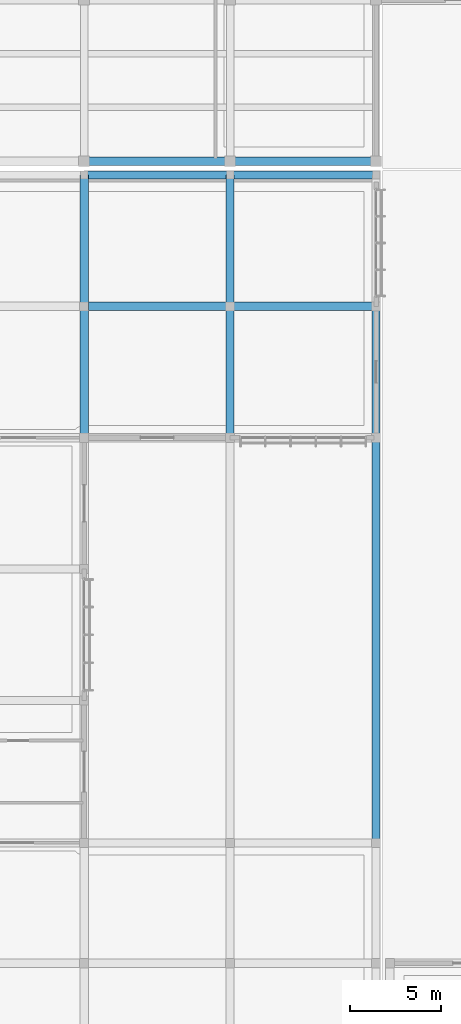
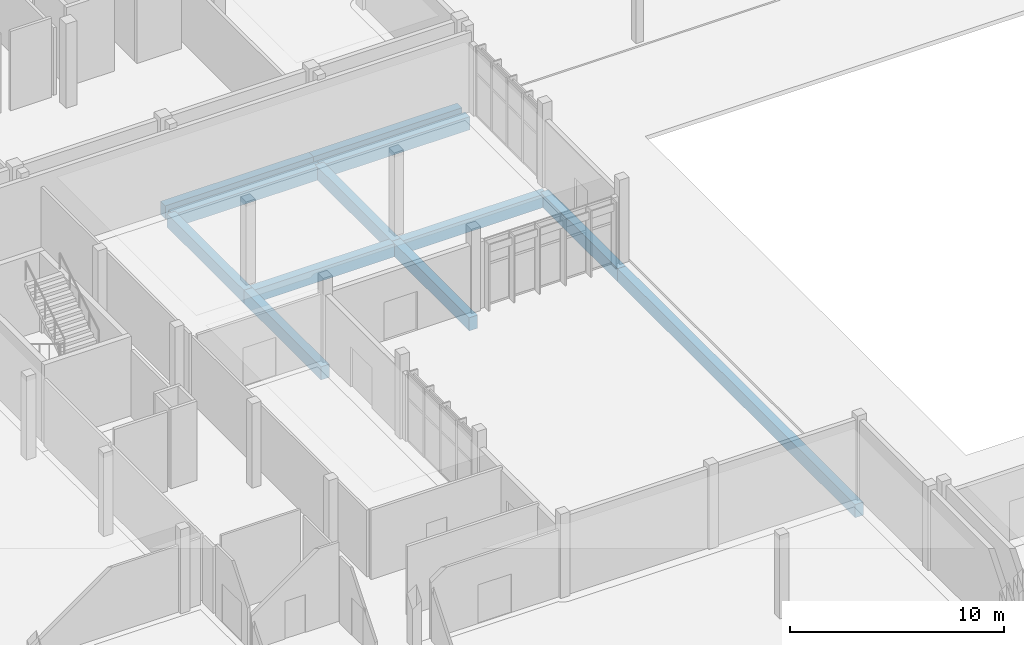
# One storey, part 58 of 151: 12 beams.
"""IFC4 building model written with IfcOpenShell, lengths in metres."""

from ifc_helpers import new_model, si_unit, direction, frame, origin, origin_2d, place, context, subcontext, project, spatial, rectangle, extrude, material, material_profile, profile_set, type_object, element, save


model = new_model("IFC4")

# Units and contexts
model_context = context("Model", 3, precision=1e-05, world=origin(), true_north=direction((0.0, 1.0)))
body_context = subcontext(model_context, "Body", "Model", "MODEL_VIEW")
ifc_project = project(units=[si_unit("LENGTHUNIT", "METRE"), si_unit("AREAUNIT", "SQUARE_METRE"), si_unit("VOLUMEUNIT", "CUBIC_METRE"), si_unit("PLANEANGLEUNIT", "RADIAN"), si_unit("MASSUNIT", "GRAM", prefix="KILO")], contexts=[model_context])

# Site, building, storey
site_placement = place(None, origin())
site = spatial("IfcSite", under=ifc_project, at=site_placement, CompositionType="ELEMENT")
building_placement = place(site_placement, origin())
building = spatial("IfcBuilding", under=site, at=building_placement, Name="Chiffa Square Polytechnic", CompositionType="ELEMENT")
storey_placement = place(building_placement, origin())
storey = spatial("IfcBuildingStorey", under=building, at=storey_placement, Name="L00", CompositionType="ELEMENT", Elevation=0.0)

# Beams
ifc_material = material(Name="Concrete C35/45", Category="concrete")
ifc_material_profile_1 = material_profile(ifc_material, rectangle(XDim=0.449951171875, YDim=0.75, at=origin_2d()), Name="RC 450x750")
ifc_profile_set_1 = profile_set([ifc_material_profile_1], Name="Concrete C35/45")
beam_type_1 = type_object("IfcBeamType", Name="BM-RC-450X750", PredefinedType="BEAM", material=ifc_profile_set_1)
for number, where, z_axis, x_axis, name in (
    (1, (32.0, 94.949951171875, -0.72509765625), (1.0, 0.0, 0.0), (0.0, 1.0, 0.0), "Primary floor girder BM-V5-L00-X-0320-0950"),
    (2, (40.0, 94.949951171875, -0.72509765625), (1.0, 0.0, 0.0), (0.0, 1.0, 0.0), "Primary floor girder BM-V5-L00-X-0400-0950"),
):
    element("IfcBeam", number, at=place(storey_placement, frame(where, z_axis=z_axis, x_axis=x_axis)), inside=storey, type_object=beam_type_1, Name=name, PredefinedType="BEAM", context=body_context, shape_type="SweptSolid", body=[
        extrude(rectangle(XDim=0.449951171875, YDim=0.75, at=origin_2d()), origin(), (0.0, 0.0, 1.0), 8.0),
    ])
ifc_material_profile_2 = material_profile(ifc_material, rectangle(XDim=0.449951171875, YDim=0.75, at=origin_2d()), Name="RC 450x750")
ifc_profile_set_2 = profile_set([ifc_material_profile_2], Name="Concrete C35/45")
beam_type_2 = type_object("IfcBeamType", Name="GB-RC-450X750", PredefinedType="BEAM", material=ifc_profile_set_2)
for number, where, z_axis, x_axis, name in (
    (3, (32.0, 87.0, -0.77490234375), (1.0, 0.0, 0.0), (0.0, 1.0, 0.0), "Ground tie beam GB-V6-X-187"),
    (4, (40.0, 87.0, -0.77490234375), (1.0, 0.0, 0.0), (0.0, 1.0, 0.0), "Ground tie beam GB-V6-X-188"),
    (5, (32.0, 94.199951171875, -0.77490234375), (1.0, 0.0, 0.0), (0.0, 1.0, 0.0), "Ground tie beam GB-V6-X-193"),
    (6, (40.0, 94.199951171875, -0.77490234375), (1.0, 0.0, 0.0), (0.0, 1.0, 0.0), "Ground tie beam GB-V6-X-194"),
):
    element("IfcBeam", number, at=place(storey_placement, frame(where, z_axis=z_axis, x_axis=x_axis)), inside=storey, type_object=beam_type_2, Name=name, PredefinedType="BEAM", context=body_context, shape_type="SweptSolid", body=[
        extrude(rectangle(XDim=0.449951171875, YDim=0.75, at=origin_2d()), origin(), (0.0, 0.0, 1.0), 8.0),
    ])
for number, where, z_axis, x_axis, name in (
    (7, (32.0, 79.800048828125, -0.77490234375), (0.0, 1.0, 0.0), (-1.0, 0.0, 0.0), "Ground tie beam GB-V6-Y-233"),
    (8, (32.0, 87.0, -0.77490234375), (0.0, 1.0, 0.0), (-1.0, 0.0, 0.0), "Ground tie beam GB-V6-Y-234"),
    (9, (40.0, 79.800048828125, -0.77490234375), (0.0, 1.0, 0.0), (-1.0, 0.0, 0.0), "Ground tie beam GB-V6-Y-239"),
    (10, (40.0, 87.0, -0.77490234375), (0.0, 1.0, 0.0), (-1.0, 0.0, 0.0), "Ground tie beam GB-V6-Y-240"),
):
    element("IfcBeam", number, at=place(storey_placement, frame(where, z_axis=z_axis, x_axis=x_axis)), inside=storey, type_object=beam_type_2, Name=name, PredefinedType="BEAM", context=body_context, shape_type="SweptSolid", body=[
        extrude(rectangle(XDim=0.449951171875, YDim=0.75, at=origin_2d()), origin(), (0.0, 0.0, 1.0), 7.199951171875),
    ])
beam_1_placement = place(storey_placement, frame((48.0, 57.60009765625, -0.77490234375), z_axis=(0.0, 1.0, 0.0), x_axis=(-1.0, 0.0, 0.0)))
element("IfcBeam", 11, at=beam_1_placement, inside=storey, type_object=beam_type_2, Name="Ground tie beam GB-V6-Y-244", PredefinedType="BEAM", context=body_context, shape_type="SweptSolid", body=[
    extrude(rectangle(XDim=0.449951171875, YDim=0.75, at=origin_2d()), origin(), (0.0, 0.0, 1.0), 22.199951171875),
])
beam_2_placement = place(storey_placement, frame((48.0, 79.800048828125, -0.77490234375), z_axis=(0.0, 1.0, 0.0), x_axis=(-1.0, 0.0, 0.0)))
element("IfcBeam", 12, at=beam_2_placement, inside=storey, type_object=beam_type_2, Name="Ground tie beam GB-V6-Y-245", PredefinedType="BEAM", context=body_context, shape_type="SweptSolid", body=[
    extrude(rectangle(XDim=0.449951171875, YDim=0.75, at=origin_2d()), origin(), (0.0, 0.0, 1.0), 7.199951171875),
])

save(model, "model.ifc")
